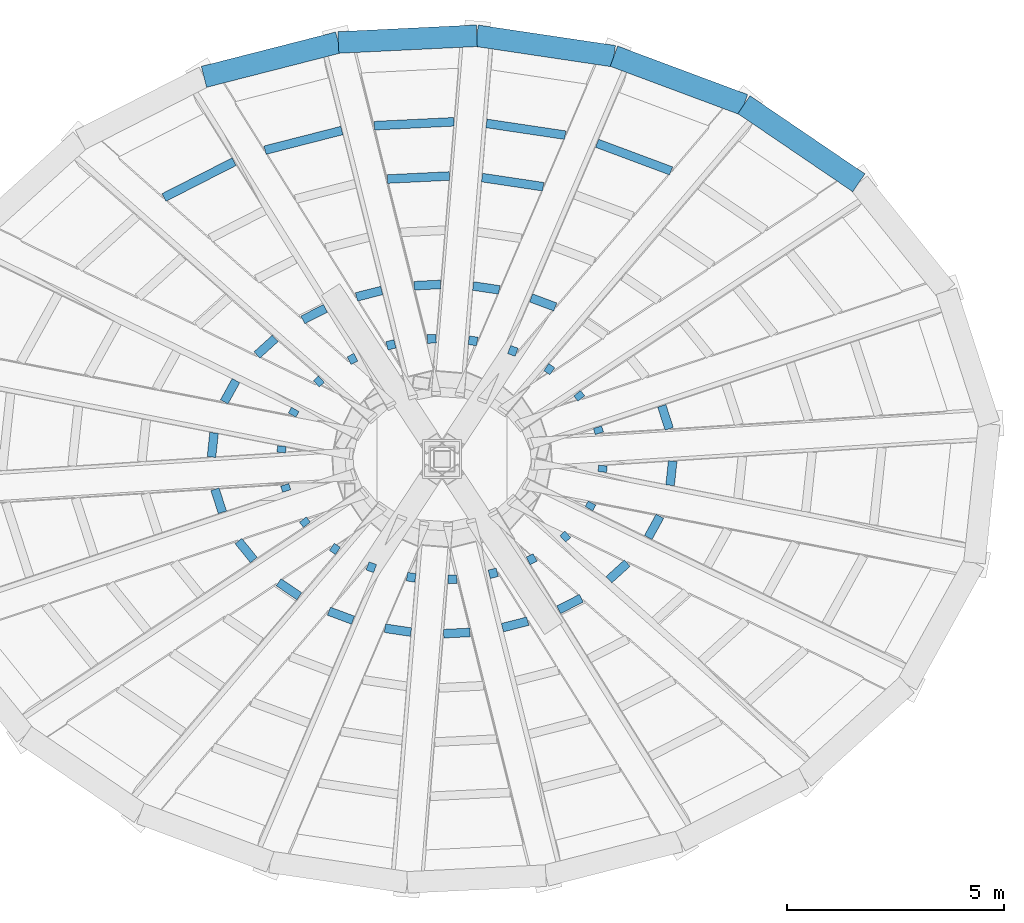
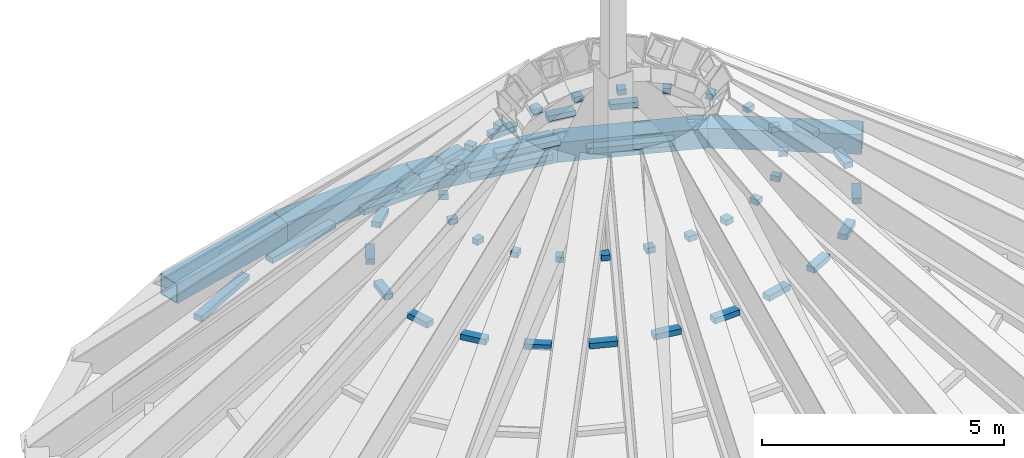
# One storey, part 4 of 9: 49 members, 5 beams, 1 element without a shape of its own.
"""IFC4 building model written with IfcOpenShell, lengths in metres."""

from ifc_helpers import new_model, si_unit, direction, frame, origin, origin_2d, place, context, subcontext, project, spatial, rectangle, hollow_rectangle, extrude, source, transform, mapped, material, material_profile, profile_set, type_object, element, aggregate, save


model = new_model("IFC4")

# Units and contexts
model_context = context("Model", 3, precision=1e-05, world=origin(), true_north=direction((0.0, 1.0)))
body_context = subcontext(model_context, "Body", "Model", "MODEL_VIEW")
ifc_project = project(units=[si_unit("LENGTHUNIT", "METRE"), si_unit("AREAUNIT", "SQUARE_METRE"), si_unit("VOLUMEUNIT", "CUBIC_METRE"), si_unit("PLANEANGLEUNIT", "RADIAN"), si_unit("MASSUNIT", "GRAM", prefix="KILO")], contexts=[model_context])

# Site, building, storey
site_placement = place(None, origin())
site = spatial("IfcSite", under=ifc_project, at=site_placement, CompositionType="ELEMENT")
building_placement = place(site_placement, origin())
building = spatial("IfcBuilding", under=site, at=building_placement, Name="Embergate Tower", CompositionType="ELEMENT")
storey_placement = place(building_placement, frame((0.0, 0.0, 374.5)))
storey = spatial("IfcBuildingStorey", under=building, at=storey_placement, Name="Roof", CompositionType="ELEMENT", Elevation=374.5)

# Beams
ifc_material_1 = material(Name="Steel Q355D", Category="steel")
ifc_material_profile_1 = material_profile(ifc_material_1, hollow_rectangle(XDim=0.5, YDim=0.5, WallThickness=0.02490234375, at=origin_2d()), Name="BOX 500x500x25")
ifc_profile_set_1 = profile_set([ifc_material_profile_1], Name="Steel Q355 grade D")
beam_type = type_object("IfcBeamType", Name="Crown frame ring beam BOX 500x500x25", PredefinedType="BEAM", material=ifc_profile_set_1)
shared_shape_1 = source(origin(), body_context, "Body", "SweptSolid", [
    extrude(hollow_rectangle(XDim=0.5, YDim=0.5, WallThickness=0.02490234375, at=origin_2d()), origin(), (0.0, 0.0, 1.0), 3.209228515625),
])
beam_1_placement = place(storey_placement, frame((9.6240234375, 6.3798828125, 0.0), z_axis=(-0.827007145973, 0.562191409138, 0.0), x_axis=(-0.562191409138, -0.827007145973, 0.0)))
element("IfcBeam", 1, at=beam_1_placement, inside=storey, type_object=beam_type, Name="CRN-Roof-RB02", PredefinedType="BEAM", context=body_context, shape_type="MappedRepresentation", body=[
    mapped(shared_shape_1, transform((0.0, 0.0, 0.0))),
])
shared_shape_2 = source(origin(), body_context, "Body", "SweptSolid", [
    extrude(hollow_rectangle(XDim=0.5, YDim=0.5, WallThickness=0.02490234375, at=origin_2d()), origin(), (0.0, 0.0, 1.0), 3.2041015625),
])
beam_2_placement = place(storey_placement, frame((6.969970703125, 8.18408203125, 0.0), z_axis=(-0.936929037432, 0.349519640102, 0.0), x_axis=(-0.349519640102, -0.936929037432, 0.0)))
element("IfcBeam", 2, at=beam_2_placement, inside=storey, type_object=beam_type, Name="CRN-Roof-RB03", PredefinedType="BEAM", context=body_context, shape_type="MappedRepresentation", body=[
    mapped(shared_shape_2, transform((0.0, 0.0, 0.0))),
])
shared_shape_3 = source(origin(), body_context, "Body", "SweptSolid", [
    extrude(hollow_rectangle(XDim=0.5, YDim=0.5, WallThickness=0.02490234375, at=origin_2d()), origin(), (0.0, 0.0, 1.0), 3.201904296875),
])
beam_3_placement = place(storey_placement, frame((3.968017578125, 9.303955078125, 0.0), z_axis=(-0.98907906553, 0.147385895288, 0.0), x_axis=(-0.147385895288, -0.98907906553, 0.0)))
element("IfcBeam", 3, at=beam_3_placement, inside=storey, type_object=beam_type, Name="CRN-Roof-RB04", PredefinedType="BEAM", context=body_context, shape_type="MappedRepresentation", body=[
    mapped(shared_shape_3, transform((0.0, 0.0, 0.0))),
])
shared_shape_4 = source(origin(), body_context, "Body", "SweptSolid", [
    extrude(hollow_rectangle(XDim=0.5, YDim=0.5, WallThickness=0.02490234375, at=origin_2d()), origin(), (0.0, 0.0, 1.0), 3.200927734375),
])
beam_4_placement = place(storey_placement, frame((0.801025390625, 9.77587890625, 0.0), z_axis=(-0.998815246434, -0.048663163591, 0.0), x_axis=(0.048663163591, -0.998815246434, 0.0)))
element("IfcBeam", 4, at=beam_4_placement, inside=storey, type_object=beam_type, Name="CRN-Roof-RB05", PredefinedType="BEAM", context=body_context, shape_type="MappedRepresentation", body=[
    mapped(shared_shape_4, transform((0.0, 0.0, 0.0))),
])
shared_shape_5 = source(origin(), body_context, "Body", "SweptSolid", [
    extrude(hollow_rectangle(XDim=0.5, YDim=0.5, WallThickness=0.02490234375, at=origin_2d()), origin(), (0.0, 0.0, 1.0), 3.202880859375),
])
beam_5_placement = place(storey_placement, frame((-2.39599609375, 9.6201171875, 0.0), z_axis=(-0.96884652958, -0.247661870543, 0.0), x_axis=(0.247661870543, -0.96884652958, 0.0)))
element("IfcBeam", 5, at=beam_5_placement, inside=storey, type_object=beam_type, Name="CRN-Roof-RB06", PredefinedType="BEAM", context=body_context, shape_type="MappedRepresentation", body=[
    mapped(shared_shape_5, transform((0.0, 0.0, 0.0))),
])

# Curtain wall, members
ifc_material_2 = material(Name="Aluminium and glass", Category="aluminium")
curtain_wall_type = type_object("IfcCurtainWallType", Name="Crown facet glazing", PredefinedType="NOTDEFINED", material=ifc_material_2)
curtain_wall_placement = place(storey_placement, origin())
curtain_wall = element("IfcCurtainWall", 6, at=curtain_wall_placement, inside=storey, type_object=curtain_wall_type, Name="Crown facet glazing Roof", ObjectType="CROWN FACET GLAZING", PredefinedType="USERDEFINED")
ifc_material_3 = material(Name="Aluminium, thermally broken", Category="aluminium")
ifc_material_profile_2 = material_profile(ifc_material_3, rectangle(XDim=0.199951171875, YDim=0.139892578125, at=origin_2d()), Name="AL 140x200")
ifc_profile_set_2 = profile_set([ifc_material_profile_2], Name="Aluminium, thermally broken")
member_type = type_object("IfcMemberType", Name="Crown facet transom", PredefinedType="USERDEFINED", material=ifc_profile_set_2)
shared_shape_6 = source(origin(), body_context, "Body", "SweptSolid", [
    extrude(rectangle(XDim=0.199951171875, YDim=0.139892578125, at=origin_2d()), origin(), (0.0, 0.0, 1.0), 0.559326171875),
])
member_1_placement = place(storey_placement, frame((5.24462890625, 0.6982421875, 5.070068359375), z_axis=(-0.307704076155, 0.951482107828, 0.0), x_axis=(-0.951482107828, -0.307704076155, 0.0)))
member_1 = element("IfcMember", 7, at=member_1_placement, type_object=member_type, Name="CW transom 1.4", ObjectType="TRANSOM", PredefinedType="USERDEFINED", context=body_context, shape_type="MappedRepresentation", body=[
    mapped(shared_shape_6, transform((0.0, 0.0, 0.0))),
])
member_2_placement = place(storey_placement, frame((-5.24462890625, -0.6982421875, 5.070068359375), z_axis=(0.307704076155, -0.951482107828, 0.0), x_axis=(0.951482107828, 0.307704076155, 0.0)))
member_2 = element("IfcMember", 8, at=member_2_placement, type_object=member_type, Name="CW transom 12.4", ObjectType="TRANSOM", PredefinedType="USERDEFINED", context=body_context, shape_type="MappedRepresentation", body=[
    mapped(shared_shape_6, transform((0.0, 0.0, 0.0))),
])
shared_shape_7 = source(origin(), body_context, "Body", "SweptSolid", [
    extrude(rectangle(XDim=0.199951171875, YDim=0.139892578125, at=origin_2d()), origin(), (0.0, 0.0, 1.0), 0.148681640625),
])
member_3_placement = place(storey_placement, frame((3.63427734375, 0.594970703125, 6.33447265625), z_axis=(-0.308826053044, 0.951118535705, 0.0), x_axis=(-0.951118535705, -0.308826053044, 0.0)))
member_3 = element("IfcMember", 9, at=member_3_placement, type_object=member_type, Name="CW transom 1.5", ObjectType="TRANSOM", PredefinedType="USERDEFINED", context=body_context, shape_type="MappedRepresentation", body=[
    mapped(shared_shape_7, transform((0.0, 0.0, 0.0))),
])
member_4_placement = place(storey_placement, frame((-3.63427734375, -0.594970703125, 6.33447265625), z_axis=(0.308826053044, -0.951118535705, 0.0), x_axis=(0.951118535705, 0.308826053044, 0.0)))
member_4 = element("IfcMember", 10, at=member_4_placement, type_object=member_type, Name="CW transom 12.5", ObjectType="TRANSOM", PredefinedType="USERDEFINED", context=body_context, shape_type="MappedRepresentation", body=[
    mapped(shared_shape_7, transform((0.0, 0.0, 0.0))),
])
shared_shape_8 = source(origin(), body_context, "Body", "SweptSolid", [
    extrude(rectangle(XDim=0.199951171875, YDim=0.139892578125, at=origin_2d()), origin(), (0.0, 0.0, 1.0), 0.564453125),
])
member_5_placement = place(storey_placement, frame((-4.70166015625, -1.893310546875, 5.076416015625), z_axis=(0.628065223274, -0.778160700186, 0.0), x_axis=(0.778160700186, 0.628065223274, 0.0)))
member_5 = element("IfcMember", 11, at=member_5_placement, type_object=member_type, Name="CW transom 13.4", ObjectType="TRANSOM", PredefinedType="USERDEFINED", context=body_context, shape_type="MappedRepresentation", body=[
    mapped(shared_shape_8, transform((0.0, 0.0, 0.0))),
])
shared_shape_9 = source(origin(), body_context, "Body", "SweptSolid", [
    extrude(rectangle(XDim=0.199951171875, YDim=0.139892578125, at=origin_2d()), origin(), (0.0, 0.0, 1.0), 0.154052734375),
])
member_6_placement = place(storey_placement, frame((3.2158203125, 1.3984375, 6.34228515625), z_axis=(-0.62874252577, 0.777613552022, 0.0), x_axis=(-0.777613552022, -0.62874252577, 0.0)))
member_6 = element("IfcMember", 12, at=member_6_placement, type_object=member_type, Name="CW transom 2.5", ObjectType="TRANSOM", PredefinedType="USERDEFINED", context=body_context, shape_type="MappedRepresentation", body=[
    mapped(shared_shape_9, transform((0.0, 0.0, 0.0))),
])
member_7_placement = place(storey_placement, frame((-3.2158203125, -1.3984375, 6.34228515625), z_axis=(0.62874252577, -0.777613552022, 0.0), x_axis=(0.777613552022, 0.62874252577, 0.0)))
member_7 = element("IfcMember", 13, at=member_7_placement, type_object=member_type, Name="CW transom 13.5", ObjectType="TRANSOM", PredefinedType="USERDEFINED", context=body_context, shape_type="MappedRepresentation", body=[
    mapped(shared_shape_9, transform((0.0, 0.0, 0.0))),
])
shared_shape_10 = source(origin(), body_context, "Body", "SweptSolid", [
    extrude(rectangle(XDim=0.199951171875, YDim=0.139892578125, at=origin_2d()), origin(), (0.0, 0.0, 1.0), 0.577392578125),
])
member_8_placement = place(storey_placement, frame((-3.77490234375, -2.843994140625, 5.084716796875), z_axis=(0.826942228498, -0.562286893611, 0.0), x_axis=(0.562286893611, 0.826942228498, 0.0)))
member_8 = element("IfcMember", 14, at=member_8_placement, type_object=member_type, Name="CW transom 14.4", ObjectType="TRANSOM", PredefinedType="USERDEFINED", context=body_context, shape_type="MappedRepresentation", body=[
    mapped(shared_shape_10, transform((0.0, 0.0, 0.0))),
])
shared_shape_11 = source(origin(), body_context, "Body", "SweptSolid", [
    extrude(rectangle(XDim=0.199951171875, YDim=0.139892578125, at=origin_2d()), origin(), (0.0, 0.0, 1.0), 0.167724609375),
])
member_9_placement = place(storey_placement, frame((2.545166015625, 2.02880859375, 6.352294921875), z_axis=(-0.827088969224, 0.56207102486, 0.0), x_axis=(-0.56207102486, -0.827088969224, 0.0)))
member_9 = element("IfcMember", 15, at=member_9_placement, type_object=member_type, Name="CW transom 3.5", ObjectType="TRANSOM", PredefinedType="USERDEFINED", context=body_context, shape_type="MappedRepresentation", body=[
    mapped(shared_shape_11, transform((0.0, 0.0, 0.0))),
])
member_10_placement = place(storey_placement, frame((-2.545166015625, -2.02880859375, 6.352294921875), z_axis=(0.827088969224, -0.56207102486, 0.0), x_axis=(0.56207102486, 0.827088969224, 0.0)))
member_10 = element("IfcMember", 16, at=member_10_placement, type_object=member_type, Name="CW transom 14.5", ObjectType="TRANSOM", PredefinedType="USERDEFINED", context=body_context, shape_type="MappedRepresentation", body=[
    mapped(shared_shape_11, transform((0.0, 0.0, 0.0))),
])
shared_shape_12 = source(origin(), body_context, "Body", "SweptSolid", [
    extrude(rectangle(XDim=0.199951171875, YDim=0.139892578125, at=origin_2d()), origin(), (0.0, 0.0, 1.0), 1.8251953125),
])
member_11_placement = place(storey_placement, frame((5.288818359375, 6.654541015625, 1.283203125), z_axis=(-0.936937896298, 0.349495891938, 0.0), x_axis=(-0.349495891938, -0.936937896298, 0.0)))
member_11 = element("IfcMember", 17, at=member_11_placement, type_object=member_type, Name="CW transom 4.1", ObjectType="TRANSOM", PredefinedType="USERDEFINED", context=body_context, shape_type="MappedRepresentation", body=[
    mapped(shared_shape_12, transform((0.0, 0.0, 0.0))),
])
shared_shape_13 = source(origin(), body_context, "Body", "SweptSolid", [
    extrude(rectangle(XDim=0.199951171875, YDim=0.139892578125, at=origin_2d()), origin(), (0.0, 0.0, 1.0), 0.59521484375),
])
member_12_placement = place(storey_placement, frame((2.61328125, 3.51318359375, 5.0908203125), z_axis=(-0.936800294057, 0.349864558157, 0.0), x_axis=(-0.349864558157, -0.936800294057, 0.0)))
member_12 = element("IfcMember", 18, at=member_12_placement, type_object=member_type, Name="CW transom 4.4", ObjectType="TRANSOM", PredefinedType="USERDEFINED", context=body_context, shape_type="MappedRepresentation", body=[
    mapped(shared_shape_13, transform((0.0, 0.0, 0.0))),
])
member_13_placement = place(storey_placement, frame((-2.61328125, -3.51318359375, 5.0908203125), z_axis=(0.936800294057, -0.349864558157, 0.0), x_axis=(0.349864558157, 0.936800294057, 0.0)))
member_13 = element("IfcMember", 19, at=member_13_placement, type_object=member_type, Name="CW transom 15.4", ObjectType="TRANSOM", PredefinedType="USERDEFINED", context=body_context, shape_type="MappedRepresentation", body=[
    mapped(shared_shape_13, transform((0.0, 0.0, 0.0))),
])
shared_shape_14 = source(origin(), body_context, "Body", "SweptSolid", [
    extrude(rectangle(XDim=0.199951171875, YDim=0.139892578125, at=origin_2d()), origin(), (0.0, 0.0, 1.0), 0.185302734375),
])
member_14_placement = place(storey_placement, frame((1.7216796875, 2.46630859375, 6.35986328125), z_axis=(-0.937031382012, 0.349245170511, 0.0), x_axis=(-0.349245170511, -0.937031382012, 0.0)))
member_14 = element("IfcMember", 20, at=member_14_placement, type_object=member_type, Name="CW transom 4.5", ObjectType="TRANSOM", PredefinedType="USERDEFINED", context=body_context, shape_type="MappedRepresentation", body=[
    mapped(shared_shape_14, transform((0.0, 0.0, 0.0))),
])
member_15_placement = place(storey_placement, frame((-1.7216796875, -2.46630859375, 6.35986328125), z_axis=(0.937031382012, -0.349245170511, 0.0), x_axis=(0.349245170511, 0.937031382012, 0.0)))
member_15 = element("IfcMember", 21, at=member_15_placement, type_object=member_type, Name="CW transom 15.5", ObjectType="TRANSOM", PredefinedType="USERDEFINED", context=body_context, shape_type="MappedRepresentation", body=[
    mapped(shared_shape_14, transform((0.0, 0.0, 0.0))),
])
shared_shape_15 = source(origin(), body_context, "Body", "SweptSolid", [
    extrude(rectangle(XDim=0.199951171875, YDim=0.139892578125, at=origin_2d()), origin(), (0.0, 0.0, 1.0), 1.838623046875),
])
member_16_placement = place(storey_placement, frame((2.843994140625, 7.480224609375, 1.2841796875), z_axis=(-0.989079061054, 0.147385925328, 0.0), x_axis=(-0.147385925328, -0.989079061054, 0.0)))
member_16 = element("IfcMember", 22, at=member_16_placement, type_object=member_type, Name="CW transom 5.1", ObjectType="TRANSOM", PredefinedType="USERDEFINED", context=body_context, shape_type="MappedRepresentation", body=[
    mapped(shared_shape_15, transform((0.0, 0.0, 0.0))),
])
shared_shape_16 = source(origin(), body_context, "Body", "SweptSolid", [
    extrude(rectangle(XDim=0.199951171875, YDim=0.139892578125, at=origin_2d()), origin(), (0.0, 0.0, 1.0), 1.42822265625),
])
member_17_placement = place(storey_placement, frame((2.335693359375, 6.2890625, 2.554443359375), z_axis=(-0.989058889783, 0.147521227425, 0.0), x_axis=(-0.147521227425, -0.989058889783, 0.0)))
member_17 = element("IfcMember", 23, at=member_17_placement, type_object=member_type, Name="CW transom 5.2", ObjectType="TRANSOM", PredefinedType="USERDEFINED", context=body_context, shape_type="MappedRepresentation", body=[
    mapped(shared_shape_16, transform((0.0, 0.0, 0.0))),
])
shared_shape_17 = source(origin(), body_context, "Body", "SweptSolid", [
    extrude(rectangle(XDim=0.199951171875, YDim=0.139892578125, at=origin_2d()), origin(), (0.0, 0.0, 1.0), 0.608642578125),
])
member_18_placement = place(storey_placement, frame((1.31982421875, 3.90673828125, 5.094482421875), z_axis=(-0.989047862773, 0.147595139295, 0.0), x_axis=(-0.147595139295, -0.989047862773, 0.0)))
member_18 = element("IfcMember", 24, at=member_18_placement, type_object=member_type, Name="CW transom 5.4", ObjectType="TRANSOM", PredefinedType="USERDEFINED", context=body_context, shape_type="MappedRepresentation", body=[
    mapped(shared_shape_17, transform((0.0, 0.0, 0.0))),
])
member_19_placement = place(storey_placement, frame((-1.31982421875, -3.90673828125, 5.094482421875), z_axis=(0.989047862773, -0.147595139295, 0.0), x_axis=(0.147595139295, 0.989047862773, 0.0)))
member_19 = element("IfcMember", 25, at=member_19_placement, type_object=member_type, Name="CW transom 16.4", ObjectType="TRANSOM", PredefinedType="USERDEFINED", context=body_context, shape_type="MappedRepresentation", body=[
    mapped(shared_shape_17, transform((0.0, 0.0, 0.0))),
])
shared_shape_18 = source(origin(), body_context, "Body", "SweptSolid", [
    extrude(rectangle(XDim=0.199951171875, YDim=0.139892578125, at=origin_2d()), origin(), (0.0, 0.0, 1.0), 0.19873046875),
])
member_20_placement = place(storey_placement, frame((0.811767578125, 2.715576171875, 6.364501953125), z_axis=(-0.989071124845, 0.14743917389, 0.0), x_axis=(-0.14743917389, -0.989071124845, 0.0)))
member_20 = element("IfcMember", 26, at=member_20_placement, type_object=member_type, Name="CW transom 5.5", ObjectType="TRANSOM", PredefinedType="USERDEFINED", context=body_context, shape_type="MappedRepresentation", body=[
    mapped(shared_shape_18, transform((0.0, 0.0, 0.0))),
])
member_21_placement = place(storey_placement, frame((-0.811767578125, -2.715576171875, 6.364501953125), z_axis=(0.989071124845, -0.14743917389, 0.0), x_axis=(0.14743917389, 0.989071124845, 0.0)))
member_21 = element("IfcMember", 27, at=member_21_placement, type_object=member_type, Name="CW transom 16.5", ObjectType="TRANSOM", PredefinedType="USERDEFINED", context=body_context, shape_type="MappedRepresentation", body=[
    mapped(shared_shape_18, transform((0.0, 0.0, 0.0))),
])
shared_shape_19 = source(origin(), body_context, "Body", "SweptSolid", [
    extrude(rectangle(XDim=0.199951171875, YDim=0.139892578125, at=origin_2d()), origin(), (0.0, 0.0, 1.0), 1.840576171875),
])
member_22_placement = place(storey_placement, frame((0.27197265625, 7.788330078125, 1.284423828125), z_axis=(-0.998814396986, -0.048680595444, 0.0), x_axis=(0.048680595444, -0.998814396986, 0.0)))
member_22 = element("IfcMember", 28, at=member_22_placement, type_object=member_type, Name="CW transom 6.1", ObjectType="TRANSOM", PredefinedType="USERDEFINED", context=body_context, shape_type="MappedRepresentation", body=[
    mapped(shared_shape_19, transform((0.0, 0.0, 0.0))),
])
shared_shape_20 = source(origin(), body_context, "Body", "SweptSolid", [
    extrude(rectangle(XDim=0.199951171875, YDim=0.139892578125, at=origin_2d()), origin(), (0.0, 0.0, 1.0), 1.430908203125),
])
member_23_placement = place(storey_placement, frame((0.16943359375, 6.53662109375, 2.5546875), z_axis=(-0.998808703038, -0.048797282041, 0.0), x_axis=(0.048797282041, -0.998808703038, 0.0)))
member_23 = element("IfcMember", 29, at=member_23_placement, type_object=member_type, Name="CW transom 6.2", ObjectType="TRANSOM", PredefinedType="USERDEFINED", context=body_context, shape_type="MappedRepresentation", body=[
    mapped(shared_shape_20, transform((0.0, 0.0, 0.0))),
])
shared_shape_21 = source(origin(), body_context, "Body", "SweptSolid", [
    extrude(rectangle(XDim=0.199951171875, YDim=0.139892578125, at=origin_2d()), origin(), (0.0, 0.0, 1.0), 0.611328125),
])
member_24_placement = place(storey_placement, frame((-0.03564453125, 4.032958984375, 5.09521484375), z_axis=(-0.998812351125, -0.048722553713, 0.0), x_axis=(0.048722553713, -0.998812351125, 0.0)))
member_24 = element("IfcMember", 30, at=member_24_placement, type_object=member_type, Name="CW transom 6.4", ObjectType="TRANSOM", PredefinedType="USERDEFINED", context=body_context, shape_type="MappedRepresentation", body=[
    mapped(shared_shape_21, transform((0.0, 0.0, 0.0))),
])
member_25_placement = place(storey_placement, frame((0.03564453125, -4.032958984375, 5.09521484375), z_axis=(0.998812351125, 0.048722553713, 0.0), x_axis=(-0.048722553713, 0.998812351125, 0.0)))
member_25 = element("IfcMember", 31, at=member_25_placement, type_object=member_type, Name="CW transom 17.4", ObjectType="TRANSOM", PredefinedType="USERDEFINED", context=body_context, shape_type="MappedRepresentation", body=[
    mapped(shared_shape_21, transform((0.0, 0.0, 0.0))),
])
shared_shape_22 = source(origin(), body_context, "Body", "SweptSolid", [
    extrude(rectangle(XDim=0.199951171875, YDim=0.139892578125, at=origin_2d()), origin(), (0.0, 0.0, 1.0), 0.20166015625),
])
member_26_placement = place(storey_placement, frame((-0.13818359375, 2.781005859375, 6.365478515625), z_axis=(-0.998826677996, -0.048427960145, 0.0), x_axis=(0.048427960145, -0.998826677996, 0.0)))
member_26 = element("IfcMember", 32, at=member_26_placement, type_object=member_type, Name="CW transom 6.5", ObjectType="TRANSOM", PredefinedType="USERDEFINED", context=body_context, shape_type="MappedRepresentation", body=[
    mapped(shared_shape_22, transform((0.0, 0.0, 0.0))),
])
member_27_placement = place(storey_placement, frame((0.13818359375, -2.781005859375, 6.365478515625), z_axis=(0.998826677996, 0.048427960145, 0.0), x_axis=(-0.048427960145, 0.998826677996, 0.0)))
member_27 = element("IfcMember", 33, at=member_27_placement, type_object=member_type, Name="CW transom 17.5", ObjectType="TRANSOM", PredefinedType="USERDEFINED", context=body_context, shape_type="MappedRepresentation", body=[
    mapped(shared_shape_22, transform((0.0, 0.0, 0.0))),
])
shared_shape_23 = source(origin(), body_context, "Body", "SweptSolid", [
    extrude(rectangle(XDim=0.199951171875, YDim=0.139892578125, at=origin_2d()), origin(), (0.0, 0.0, 1.0), 1.83251953125),
])
member_28_placement = place(storey_placement, frame((-2.314208984375, 7.587158203125, 1.28369140625), z_axis=(-0.968843606878, -0.247673303793, 0.0), x_axis=(0.247673303793, -0.968843606878, 0.0)))
member_28 = element("IfcMember", 34, at=member_28_placement, type_object=member_type, Name="CW transom 7.1", ObjectType="TRANSOM", PredefinedType="USERDEFINED", context=body_context, shape_type="MappedRepresentation", body=[
    mapped(shared_shape_23, transform((0.0, 0.0, 0.0))),
])
shared_shape_24 = source(origin(), body_context, "Body", "SweptSolid", [
    extrude(rectangle(XDim=0.199951171875, YDim=0.139892578125, at=origin_2d()), origin(), (0.0, 0.0, 1.0), 0.602294921875),
])
member_29_placement = place(storey_placement, frame((-1.394287109375, 3.893310546875, 5.093017578125), z_axis=(-0.968841172357, -0.247682826908, 0.0), x_axis=(0.247682826908, -0.968841172357, 0.0)))
member_29 = element("IfcMember", 35, at=member_29_placement, type_object=member_type, Name="CW transom 7.4", ObjectType="TRANSOM", PredefinedType="USERDEFINED", context=body_context, shape_type="MappedRepresentation", body=[
    mapped(shared_shape_24, transform((0.0, 0.0, 0.0))),
])
member_30_placement = place(storey_placement, frame((1.394287109375, -3.893310546875, 5.093017578125), z_axis=(0.968841172357, 0.247682826908, 0.0), x_axis=(-0.247682826908, 0.968841172357, 0.0)))
member_30 = element("IfcMember", 36, at=member_30_placement, type_object=member_type, Name="CW transom 18.4", ObjectType="TRANSOM", PredefinedType="USERDEFINED", context=body_context, shape_type="MappedRepresentation", body=[
    mapped(shared_shape_24, transform((0.0, 0.0, 0.0))),
])
shared_shape_25 = source(origin(), body_context, "Body", "SweptSolid", [
    extrude(rectangle(XDim=0.199951171875, YDim=0.139892578125, at=origin_2d()), origin(), (0.0, 0.0, 1.0), 0.192626953125),
])
member_31_placement = place(storey_placement, frame((-1.08740234375, 2.662109375, 6.362548828125), z_axis=(-0.968632572889, -0.248497361631, 0.0), x_axis=(0.248497361631, -0.968632572889, 0.0)))
member_31 = element("IfcMember", 37, at=member_31_placement, type_object=member_type, Name="CW transom 7.5", ObjectType="TRANSOM", PredefinedType="USERDEFINED", context=body_context, shape_type="MappedRepresentation", body=[
    mapped(shared_shape_25, transform((0.0, 0.0, 0.0))),
])
member_32_placement = place(storey_placement, frame((1.08740234375, -2.662109375, 6.362548828125), z_axis=(0.968632572889, 0.248497361631, 0.0), x_axis=(-0.248497361631, 0.968632572889, 0.0)))
member_32 = element("IfcMember", 38, at=member_32_placement, type_object=member_type, Name="CW transom 18.5", ObjectType="TRANSOM", PredefinedType="USERDEFINED", context=body_context, shape_type="MappedRepresentation", body=[
    mapped(shared_shape_25, transform((0.0, 0.0, 0.0))),
])
shared_shape_26 = source(origin(), body_context, "Body", "SweptSolid", [
    extrude(rectangle(XDim=0.199951171875, YDim=0.139892578125, at=origin_2d()), origin(), (0.0, 0.0, 1.0), 1.816650390625),
])
member_33_placement = place(storey_placement, frame((-4.802978515625, 6.86669921875, 1.282470703125), z_axis=(-0.890741883441, -0.454509512643, 0.0), x_axis=(0.454509512643, -0.890741883441, 0.0)))
member_33 = element("IfcMember", 39, at=member_33_placement, type_object=member_type, Name="CW transom 8.1", ObjectType="TRANSOM", PredefinedType="USERDEFINED", context=body_context, shape_type="MappedRepresentation", body=[
    mapped(shared_shape_26, transform((0.0, 0.0, 0.0))),
])
shared_shape_27 = source(origin(), body_context, "Body", "SweptSolid", [
    extrude(rectangle(XDim=0.199951171875, YDim=0.139892578125, at=origin_2d()), origin(), (0.0, 0.0, 1.0), 0.5869140625),
])
member_34_placement = place(storey_placement, frame((-2.693115234375, 3.48046875, 5.088134765625), z_axis=(-0.890906146902, -0.45418744744, 0.0), x_axis=(0.45418744744, -0.890906146902, 0.0)))
member_34 = element("IfcMember", 40, at=member_34_placement, type_object=member_type, Name="CW transom 8.4", ObjectType="TRANSOM", PredefinedType="USERDEFINED", context=body_context, shape_type="MappedRepresentation", body=[
    mapped(shared_shape_27, transform((0.0, 0.0, 0.0))),
])
member_35_placement = place(storey_placement, frame((2.693115234375, -3.48046875, 5.088134765625), z_axis=(0.890906146902, 0.45418744744, 0.0), x_axis=(-0.45418744744, 0.890906146902, 0.0)))
member_35 = element("IfcMember", 41, at=member_35_placement, type_object=member_type, Name="CW transom 19.4", ObjectType="TRANSOM", PredefinedType="USERDEFINED", context=body_context, shape_type="MappedRepresentation", body=[
    mapped(shared_shape_27, transform((0.0, 0.0, 0.0))),
])
shared_shape_28 = source(origin(), body_context, "Body", "SweptSolid", [
    extrude(rectangle(XDim=0.199951171875, YDim=0.139892578125, at=origin_2d()), origin(), (0.0, 0.0, 1.0), 0.177001953125),
])
member_36_placement = place(storey_placement, frame((-1.989990234375, 2.351806640625, 6.356689453125), z_axis=(-0.890533976008, -0.45491673697, 0.0), x_axis=(0.45491673697, -0.890533976008, 0.0)))
member_36 = element("IfcMember", 42, at=member_36_placement, type_object=member_type, Name="CW transom 8.5", ObjectType="TRANSOM", PredefinedType="USERDEFINED", context=body_context, shape_type="MappedRepresentation", body=[
    mapped(shared_shape_28, transform((0.0, 0.0, 0.0))),
])
member_37_placement = place(storey_placement, frame((1.989990234375, -2.351806640625, 6.356689453125), z_axis=(0.890533976008, 0.45491673697, 0.0), x_axis=(-0.45491673697, 0.890533976008, 0.0)))
member_37 = element("IfcMember", 43, at=member_37_placement, type_object=member_type, Name="CW transom 19.5", ObjectType="TRANSOM", PredefinedType="USERDEFINED", context=body_context, shape_type="MappedRepresentation", body=[
    mapped(shared_shape_28, transform((0.0, 0.0, 0.0))),
])
shared_shape_29 = source(origin(), body_context, "Body", "SweptSolid", [
    extrude(rectangle(XDim=0.199951171875, YDim=0.139892578125, at=origin_2d()), origin(), (0.0, 0.0, 1.0), 0.569580078125),
])
member_38_placement = place(storey_placement, frame((-3.853515625, 2.785888671875, 5.08056640625), z_axis=(-0.740966959659, -0.671541483971, 0.0), x_axis=(0.671541483971, -0.740966959659, 0.0)))
member_38 = element("IfcMember", 44, at=member_38_placement, type_object=member_type, Name="CW transom 9.4", ObjectType="TRANSOM", PredefinedType="USERDEFINED", context=body_context, shape_type="MappedRepresentation", body=[
    mapped(shared_shape_29, transform((0.0, 0.0, 0.0))),
])
member_39_placement = place(storey_placement, frame((3.853515625, -2.785888671875, 5.08056640625), z_axis=(0.740966959659, 0.671541483971, 0.0), x_axis=(-0.671541483971, 0.740966959659, 0.0)))
member_39 = element("IfcMember", 45, at=member_39_placement, type_object=member_type, Name="CW transom 20.4", ObjectType="TRANSOM", PredefinedType="USERDEFINED", context=body_context, shape_type="MappedRepresentation", body=[
    mapped(shared_shape_29, transform((0.0, 0.0, 0.0))),
])
shared_shape_30 = source(origin(), body_context, "Body", "SweptSolid", [
    extrude(rectangle(XDim=0.199951171875, YDim=0.139892578125, at=origin_2d()), origin(), (0.0, 0.0, 1.0), 0.159423828125),
])
member_40_placement = place(storey_placement, frame((-2.786376953125, 1.844482421875, 6.347412109375), z_axis=(-0.741463188684, -0.670993546784, 0.0), x_axis=(0.670993546784, -0.741463188684, 0.0)))
member_40 = element("IfcMember", 46, at=member_40_placement, type_object=member_type, Name="CW transom 9.5", ObjectType="TRANSOM", PredefinedType="USERDEFINED", context=body_context, shape_type="MappedRepresentation", body=[
    mapped(shared_shape_30, transform((0.0, 0.0, 0.0))),
])
member_41_placement = place(storey_placement, frame((2.786376953125, -1.844482421875, 6.347412109375), z_axis=(0.741463188684, 0.670993546784, 0.0), x_axis=(-0.670993546784, 0.741463188684, 0.0)))
member_41 = element("IfcMember", 47, at=member_41_placement, type_object=member_type, Name="CW transom 20.5", ObjectType="TRANSOM", PredefinedType="USERDEFINED", context=body_context, shape_type="MappedRepresentation", body=[
    mapped(shared_shape_30, transform((0.0, 0.0, 0.0))),
])
shared_shape_31 = source(origin(), body_context, "Body", "SweptSolid", [
    extrude(rectangle(XDim=0.199951171875, YDim=0.139892578125, at=origin_2d()), origin(), (0.0, 0.0, 1.0), 0.560791015625),
])
member_42_placement = place(storey_placement, frame((-4.759765625, 1.8115234375, 5.07275390625), z_axis=(-0.484089753201, -0.875018348862, 0.0), x_axis=(0.875018348862, -0.484089753201, 0.0)))
member_42 = element("IfcMember", 48, at=member_42_placement, type_object=member_type, Name="CW transom 10.4", ObjectType="TRANSOM", PredefinedType="USERDEFINED", context=body_context, shape_type="MappedRepresentation", body=[
    mapped(shared_shape_31, transform((0.0, 0.0, 0.0))),
])
member_43_placement = place(storey_placement, frame((4.759765625, -1.8115234375, 5.07275390625), z_axis=(0.484089753201, 0.875018348862, 0.0), x_axis=(-0.875018348862, 0.484089753201, 0.0)))
member_43 = element("IfcMember", 49, at=member_43_placement, type_object=member_type, Name="CW transom 21.4", ObjectType="TRANSOM", PredefinedType="USERDEFINED", context=body_context, shape_type="MappedRepresentation", body=[
    mapped(shared_shape_31, transform((0.0, 0.0, 0.0))),
])
shared_shape_32 = source(origin(), body_context, "Body", "SweptSolid", [
    extrude(rectangle(XDim=0.199951171875, YDim=0.139892578125, at=origin_2d()), origin(), (0.0, 0.0, 1.0), 0.150146484375),
])
member_44_placement = place(storey_placement, frame((-3.390625, 1.146728515625, 6.337890625), z_axis=(-0.484538113283, -0.874770150826, 0.0), x_axis=(0.874770150826, -0.484538113283, 0.0)))
member_44 = element("IfcMember", 50, at=member_44_placement, type_object=member_type, Name="CW transom 10.5", ObjectType="TRANSOM", PredefinedType="USERDEFINED", context=body_context, shape_type="MappedRepresentation", body=[
    mapped(shared_shape_32, transform((0.0, 0.0, 0.0))),
])
member_45_placement = place(storey_placement, frame((3.390625, -1.146728515625, 6.337890625), z_axis=(0.484538113283, 0.874770150826, 0.0), x_axis=(-0.874770150826, 0.484538113283, 0.0)))
member_45 = element("IfcMember", 51, at=member_45_placement, type_object=member_type, Name="CW transom 21.5", ObjectType="TRANSOM", PredefinedType="USERDEFINED", context=body_context, shape_type="MappedRepresentation", body=[
    mapped(shared_shape_32, transform((0.0, 0.0, 0.0))),
])
shared_shape_33 = source(origin(), body_context, "Body", "SweptSolid", [
    extrude(rectangle(XDim=0.199951171875, YDim=0.139892578125, at=origin_2d()), origin(), (0.0, 0.0, 1.0), 0.560302734375),
])
member_46_placement = place(storey_placement, frame((-5.265869140625, 0.6044921875, 5.068359375), z_axis=(-0.105886896484, -0.994378180147, 0.0), x_axis=(0.994378180147, -0.105886896484, 0.0)))
member_46 = element("IfcMember", 52, at=member_46_placement, type_object=member_type, Name="CW transom 11.4", ObjectType="TRANSOM", PredefinedType="USERDEFINED", context=body_context, shape_type="MappedRepresentation", body=[
    mapped(shared_shape_33, transform((0.0, 0.0, 0.0))),
])
member_47_placement = place(storey_placement, frame((5.265869140625, -0.6044921875, 5.068359375), z_axis=(0.105886896484, 0.994378180147, 0.0), x_axis=(-0.994378180147, 0.105886896484, 0.0)))
member_47 = element("IfcMember", 53, at=member_47_placement, type_object=member_type, Name="CW transom 22.4", ObjectType="TRANSOM", PredefinedType="USERDEFINED", context=body_context, shape_type="MappedRepresentation", body=[
    mapped(shared_shape_33, transform((0.0, 0.0, 0.0))),
])
shared_shape_34 = source(origin(), body_context, "Body", "SweptSolid", [
    extrude(rectangle(XDim=0.199951171875, YDim=0.139892578125, at=origin_2d()), origin(), (0.0, 0.0, 1.0), 0.149169921875),
])
member_48_placement = place(storey_placement, frame((-3.69921875, 0.29931640625, 6.332275390625), z_axis=(-0.106302141231, -0.994333874898, 0.0), x_axis=(0.994333874898, -0.106302141231, 0.0)))
member_48 = element("IfcMember", 54, at=member_48_placement, type_object=member_type, Name="CW transom 11.5", ObjectType="TRANSOM", PredefinedType="USERDEFINED", context=body_context, shape_type="MappedRepresentation", body=[
    mapped(shared_shape_34, transform((0.0, 0.0, 0.0))),
])
member_49_placement = place(storey_placement, frame((3.69921875, -0.29931640625, 6.332275390625), z_axis=(0.106302141231, 0.994333874898, 0.0), x_axis=(-0.994333874898, 0.106302141231, 0.0)))
member_49 = element("IfcMember", 55, at=member_49_placement, type_object=member_type, Name="CW transom 22.5", ObjectType="TRANSOM", PredefinedType="USERDEFINED", context=body_context, shape_type="MappedRepresentation", body=[
    mapped(shared_shape_34, transform((0.0, 0.0, 0.0))),
])
aggregate(curtain_wall, [member_1, member_3, member_6, member_9, member_11, member_12, member_14, member_16, member_17, member_18, member_20, member_22, member_23, member_24, member_26, member_28, member_29, member_31, member_33, member_34, member_36, member_38, member_40, member_42, member_44, member_46, member_48, member_2, member_4, member_5, member_7, member_8, member_10, member_13, member_15, member_19, member_21, member_25, member_27, member_30, member_32, member_35, member_37, member_39, member_41, member_43, member_45, member_47, member_49])

save(model, "model.ifc")
